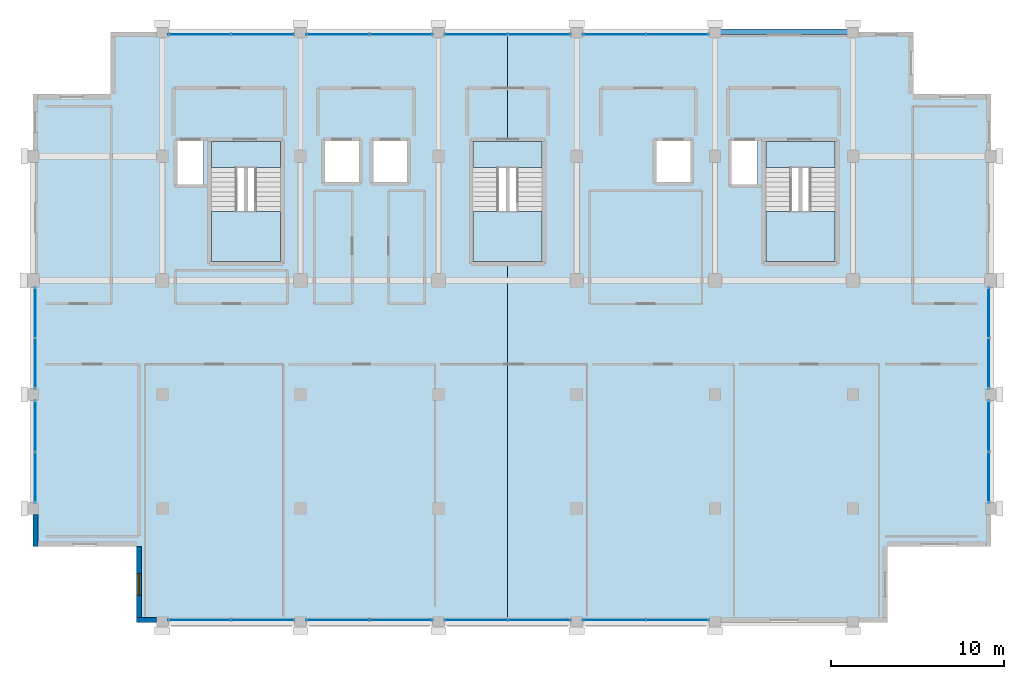
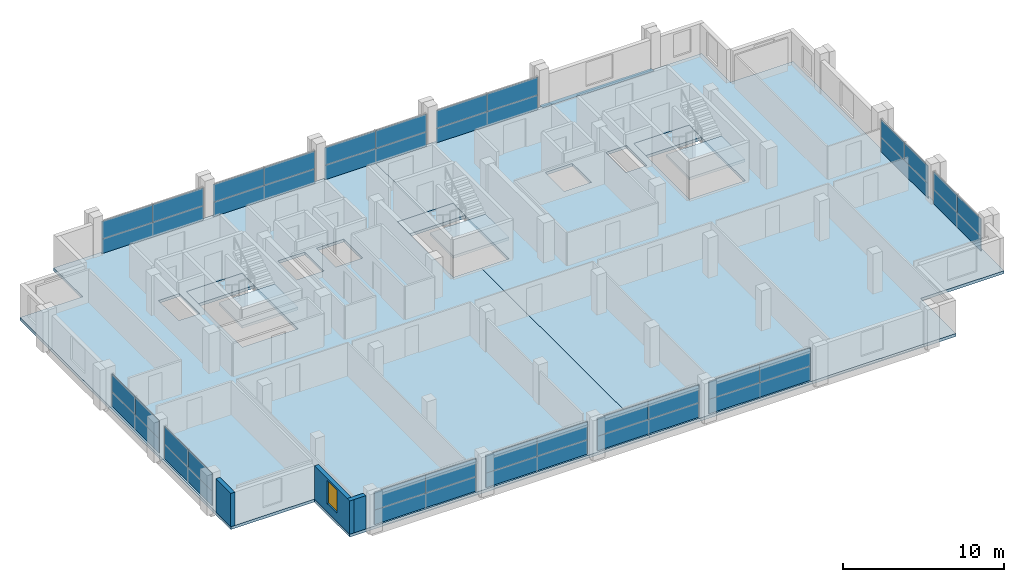
# One storey, part 19 of 24: 36 plates, 8 slabs, 3 walls, 1 beam, 1 window, 1 opening, 15 elements without a shape of their own.
"""IFC4 building model written with IfcOpenShell, lengths in metres."""

from ifc_helpers import new_model, si_unit, direction, frame, frame_2d, origin, origin_2d, place, context, subcontext, project, spatial, polyline, rectangle, outline, extrude, material, layer, layer_set, material_profile, profile_set, type_object, element, fill, aggregate, save


model = new_model("IFC4")

# Units and contexts
model_context = context("Model", 3, precision=1e-05, world=origin(), true_north=direction((0.0, 1.0)))
body_context = subcontext(model_context, "Body", "Model", "MODEL_VIEW")
ifc_project = project(units=[si_unit("LENGTHUNIT", "METRE"), si_unit("AREAUNIT", "SQUARE_METRE"), si_unit("VOLUMEUNIT", "CUBIC_METRE"), si_unit("PLANEANGLEUNIT", "RADIAN"), si_unit("MASSUNIT", "GRAM", prefix="KILO")], contexts=[model_context])

# Site, building, storey
site_placement = place(None, origin())
site = spatial("IfcSite", under=ifc_project, at=site_placement, CompositionType="ELEMENT")
building_placement = place(site_placement, origin())
building = spatial("IfcBuilding", under=site, at=building_placement, Name="Akrevak Sports Hall", CompositionType="ELEMENT")
storey_placement = place(building_placement, frame((0.0, 0.0, 56.800048828125)))
storey = spatial("IfcBuildingStorey", under=building, at=storey_placement, Name="L14", CompositionType="ELEMENT", Elevation=56.800048828125)

# Beam
ifc_material_1 = material(Name="Concrete C40/50", Category="concrete")
ifc_material_profile = material_profile(ifc_material_1, rectangle(XDim=0.320068359375, YDim=0.679931640625, at=origin_2d()), Name="SPD 320x680", Category="concrete")
ifc_profile_set = profile_set([ifc_material_profile], Name="Concrete C40/50")
beam_type = type_object("IfcBeamType", Name="STR-SPD-RC320x680", PredefinedType="SPANDREL", material=ifc_profile_set)
beam_placement = place(storey_placement, frame((92.0, 69.60009765625, -0.340087890625), z_axis=(1.0, 0.0, 0.0), x_axis=(0.0, 1.0, 0.0)))
element("IfcBeam", 1, at=beam_placement, inside=storey, type_object=beam_type, Name="Girder K/13-14 (L14)", PredefinedType="SPANDREL", context=body_context, shape_type="SweptSolid", body=[
    extrude(rectangle(XDim=0.320068359375, YDim=0.679931640625, at=origin_2d()), origin(), (0.0, 0.0, 1.0), 8.0),
])

# Curtain wall, plates
ifc_material_2 = material(Name="Anodized Bronze Aluminium & Low-E Glass", Category="aluminium")
curtain_wall_type = type_object("IfcCurtainWallType", Name="ARC-CW-TWR-64x30", PredefinedType="NOTDEFINED", material=ifc_material_2)
curtain_wall_1_placement = place(storey_placement, origin())
curtain_wall_1 = element("IfcCurtainWall", 2, at=curtain_wall_1_placement, inside=storey, type_object=curtain_wall_type, Name="Curtain Wall CW-L14-S02", PredefinedType="NOTDEFINED")
ifc_material_3 = material(Name="Double Low-E Tempered Glass", Category="glass")
ifc_layer_1 = layer(ifc_material_3, 0.031982421875, Name="Double Low-E Tempered Glass")
ifc_layer_set_1 = layer_set([ifc_layer_1], Name="Double Low-E Tempered Glass")
plate_type_1 = type_object("IfcPlateType", Name="ARC-CWP-GLZ-32", PredefinedType="CURTAIN_PANEL", material=ifc_layer_set_1)
plate_1_placement = place(storey_placement, frame((62.175048828125, 35.550048828125, 1.099853515625), z_axis=(0.0, 0.0, 1.0), x_axis=(1.0, 0.0, 0.0)))
plate_1 = element("IfcPlate", 3, at=plate_1_placement, type_object=plate_type_1, Name="Vision Glass Panel CW-L14-S02-G1", PredefinedType="CURTAIN_PANEL", context=body_context, shape_type="SweptSolid", body=[
    extrude(rectangle(XDim=3.64990234375, YDim=0.035888671875, at=origin_2d()), origin(), (0.0, 0.0, 1.0), 1.35009765625),
])
plate_2_placement = place(storey_placement, frame((65.824951171875, 35.550048828125, 1.099853515625), z_axis=(0.0, 0.0, 1.0), x_axis=(1.0, 0.0, 0.0)))
plate_2 = element("IfcPlate", 4, at=plate_2_placement, type_object=plate_type_1, Name="Vision Glass Panel CW-L14-S02-G2", PredefinedType="CURTAIN_PANEL", context=body_context, shape_type="SweptSolid", body=[
    extrude(rectangle(XDim=3.64990234375, YDim=0.035888671875, at=origin_2d()), origin(), (0.0, 0.0, 1.0), 1.35009765625),
])

curtain_wall_2_placement = place(storey_placement, origin())
curtain_wall_2 = element("IfcCurtainWall", 5, at=curtain_wall_2_placement, inside=storey, type_object=curtain_wall_type, Name="Curtain Wall CW-L14-S03", PredefinedType="NOTDEFINED")
plate_3_placement = place(storey_placement, frame((70.175048828125, 35.550048828125, 1.099853515625), z_axis=(0.0, 0.0, 1.0), x_axis=(1.0, 0.0, 0.0)))
plate_3 = element("IfcPlate", 6, at=plate_3_placement, type_object=plate_type_1, Name="Vision Glass Panel CW-L14-S03-G1", PredefinedType="CURTAIN_PANEL", context=body_context, shape_type="SweptSolid", body=[
    extrude(rectangle(XDim=3.64990234375, YDim=0.035888671875, at=origin_2d()), origin(), (0.0, 0.0, 1.0), 1.35009765625),
])
plate_4_placement = place(storey_placement, frame((73.824951171875, 35.550048828125, 1.099853515625), z_axis=(0.0, 0.0, 1.0), x_axis=(1.0, 0.0, 0.0)))
plate_4 = element("IfcPlate", 7, at=plate_4_placement, type_object=plate_type_1, Name="Vision Glass Panel CW-L14-S03-G2", PredefinedType="CURTAIN_PANEL", context=body_context, shape_type="SweptSolid", body=[
    extrude(rectangle(XDim=3.64990234375, YDim=0.035888671875, at=origin_2d()), origin(), (0.0, 0.0, 1.0), 1.35009765625),
])

curtain_wall_3_placement = place(storey_placement, origin())
curtain_wall_3 = element("IfcCurtainWall", 8, at=curtain_wall_3_placement, inside=storey, type_object=curtain_wall_type, Name="Curtain Wall CW-L14-S04", PredefinedType="NOTDEFINED")
plate_5_placement = place(storey_placement, frame((78.175048828125, 35.550048828125, 1.099853515625), z_axis=(0.0, 0.0, 1.0), x_axis=(1.0, 0.0, 0.0)))
plate_5 = element("IfcPlate", 9, at=plate_5_placement, type_object=plate_type_1, Name="Vision Glass Panel CW-L14-S04-G1", PredefinedType="CURTAIN_PANEL", context=body_context, shape_type="SweptSolid", body=[
    extrude(rectangle(XDim=3.64990234375, YDim=0.035888671875, at=origin_2d()), origin(), (0.0, 0.0, 1.0), 1.35009765625),
])
plate_6_placement = place(storey_placement, frame((81.824951171875, 35.550048828125, 1.099853515625), z_axis=(0.0, 0.0, 1.0), x_axis=(1.0, 0.0, 0.0)))
plate_6 = element("IfcPlate", 10, at=plate_6_placement, type_object=plate_type_1, Name="Vision Glass Panel CW-L14-S04-G2", PredefinedType="CURTAIN_PANEL", context=body_context, shape_type="SweptSolid", body=[
    extrude(rectangle(XDim=3.64990234375, YDim=0.035888671875, at=origin_2d()), origin(), (0.0, 0.0, 1.0), 1.35009765625),
])

curtain_wall_4_placement = place(storey_placement, origin())
curtain_wall_4 = element("IfcCurtainWall", 11, at=curtain_wall_4_placement, inside=storey, type_object=curtain_wall_type, Name="Curtain Wall CW-L14-S05", PredefinedType="NOTDEFINED")
plate_7_placement = place(storey_placement, frame((86.175048828125, 35.550048828125, 1.099853515625), z_axis=(0.0, 0.0, 1.0), x_axis=(1.0, 0.0, 0.0)))
plate_7 = element("IfcPlate", 12, at=plate_7_placement, type_object=plate_type_1, Name="Vision Glass Panel CW-L14-S05-G1", PredefinedType="CURTAIN_PANEL", context=body_context, shape_type="SweptSolid", body=[
    extrude(rectangle(XDim=3.64990234375, YDim=0.035888671875, at=origin_2d()), origin(), (0.0, 0.0, 1.0), 1.35009765625),
])
plate_8_placement = place(storey_placement, frame((89.824951171875, 35.550048828125, 1.099853515625), z_axis=(0.0, 0.0, 1.0), x_axis=(1.0, 0.0, 0.0)))
plate_8 = element("IfcPlate", 13, at=plate_8_placement, type_object=plate_type_1, Name="Vision Glass Panel CW-L14-S05-G2", PredefinedType="CURTAIN_PANEL", context=body_context, shape_type="SweptSolid", body=[
    extrude(rectangle(XDim=3.64990234375, YDim=0.035888671875, at=origin_2d()), origin(), (0.0, 0.0, 1.0), 1.35009765625),
])

curtain_wall_5_placement = place(storey_placement, origin())
curtain_wall_5 = element("IfcCurtainWall", 14, at=curtain_wall_5_placement, inside=storey, type_object=curtain_wall_type, Name="Curtain Wall CW-L14-E11", PredefinedType="NOTDEFINED")
plate_9_placement = place(storey_placement, frame((107.85009765625, 43.824951171875, 1.099853515625), z_axis=(0.0, 0.0, 1.0), x_axis=(0.0, 1.0, 0.0)))
plate_9 = element("IfcPlate", 15, at=plate_9_placement, type_object=plate_type_1, Name="Vision Glass Panel CW-L14-E11-G1", PredefinedType="CURTAIN_PANEL", context=body_context, shape_type="SweptSolid", body=[
    extrude(rectangle(XDim=2.949951171875, YDim=0.035888671875, at=origin_2d()), origin(), (0.0, 0.0, 1.0), 1.35009765625),
])
plate_10_placement = place(storey_placement, frame((107.85009765625, 46.77490234375, 1.099853515625), z_axis=(0.0, 0.0, 1.0), x_axis=(0.0, 1.0, 0.0)))
plate_10 = element("IfcPlate", 16, at=plate_10_placement, type_object=plate_type_1, Name="Vision Glass Panel CW-L14-E11-G2", PredefinedType="CURTAIN_PANEL", context=body_context, shape_type="SweptSolid", body=[
    extrude(rectangle(XDim=2.949951171875, YDim=0.035888671875, at=origin_2d()), origin(), (0.0, 0.0, 1.0), 1.35009765625),
])

curtain_wall_6_placement = place(storey_placement, origin())
curtain_wall_6 = element("IfcCurtainWall", 17, at=curtain_wall_6_placement, inside=storey, type_object=curtain_wall_type, Name="Curtain Wall CW-L14-E12", PredefinedType="NOTDEFINED")
plate_11_placement = place(storey_placement, frame((107.85009765625, 50.41259765625, 1.099853515625), z_axis=(0.0, 0.0, 1.0), x_axis=(0.0, 1.0, 0.0)))
plate_11 = element("IfcPlate", 18, at=plate_11_placement, type_object=plate_type_1, Name="Vision Glass Panel CW-L14-E12-G1", PredefinedType="CURTAIN_PANEL", context=body_context, shape_type="SweptSolid", body=[
    extrude(rectangle(XDim=2.925048828125, YDim=0.035888671875, at=origin_2d()), origin(), (0.0, 0.0, 1.0), 1.35009765625),
])
plate_12_placement = place(storey_placement, frame((107.85009765625, 53.33740234375, 1.099853515625), z_axis=(0.0, 0.0, 1.0), x_axis=(0.0, 1.0, 0.0)))
plate_12 = element("IfcPlate", 19, at=plate_12_placement, type_object=plate_type_1, Name="Vision Glass Panel CW-L14-E12-G2", PredefinedType="CURTAIN_PANEL", context=body_context, shape_type="SweptSolid", body=[
    extrude(rectangle(XDim=2.925048828125, YDim=0.035888671875, at=origin_2d()), origin(), (0.0, 0.0, 1.0), 1.35009765625),
])

curtain_wall_7_placement = place(storey_placement, origin())
curtain_wall_7 = element("IfcCurtainWall", 20, at=curtain_wall_7_placement, inside=storey, type_object=curtain_wall_type, Name="Curtain Wall CW-L14-N19", PredefinedType="NOTDEFINED")
plate_13_placement = place(storey_placement, frame((89.824951171875, 69.449951171875, 1.099853515625), z_axis=(0.0, 0.0, 1.0), x_axis=(-1.0, 0.0, 0.0)))
plate_13 = element("IfcPlate", 21, at=plate_13_placement, type_object=plate_type_1, Name="Vision Glass Panel CW-L14-N19-G1", PredefinedType="CURTAIN_PANEL", context=body_context, shape_type="SweptSolid", body=[
    extrude(rectangle(XDim=3.64990234375, YDim=0.035888671875, at=origin_2d()), origin(), (0.0, 0.0, 1.0), 1.35009765625),
])
plate_14_placement = place(storey_placement, frame((86.175048828125, 69.449951171875, 1.099853515625), z_axis=(0.0, 0.0, 1.0), x_axis=(-1.0, 0.0, 0.0)))
plate_14 = element("IfcPlate", 22, at=plate_14_placement, type_object=plate_type_1, Name="Vision Glass Panel CW-L14-N19-G2", PredefinedType="CURTAIN_PANEL", context=body_context, shape_type="SweptSolid", body=[
    extrude(rectangle(XDim=3.64990234375, YDim=0.035888671875, at=origin_2d()), origin(), (0.0, 0.0, 1.0), 1.35009765625),
])

curtain_wall_8_placement = place(storey_placement, origin())
curtain_wall_8 = element("IfcCurtainWall", 23, at=curtain_wall_8_placement, inside=storey, type_object=curtain_wall_type, Name="Curtain Wall CW-L14-N20", PredefinedType="NOTDEFINED")
plate_15_placement = place(storey_placement, frame((81.824951171875, 69.449951171875, 1.099853515625), z_axis=(0.0, 0.0, 1.0), x_axis=(-1.0, 0.0, 0.0)))
plate_15 = element("IfcPlate", 24, at=plate_15_placement, type_object=plate_type_1, Name="Vision Glass Panel CW-L14-N20-G1", PredefinedType="CURTAIN_PANEL", context=body_context, shape_type="SweptSolid", body=[
    extrude(rectangle(XDim=3.64990234375, YDim=0.035888671875, at=origin_2d()), origin(), (0.0, 0.0, 1.0), 1.35009765625),
])
plate_16_placement = place(storey_placement, frame((78.175048828125, 69.449951171875, 1.099853515625), z_axis=(0.0, 0.0, 1.0), x_axis=(-1.0, 0.0, 0.0)))
plate_16 = element("IfcPlate", 25, at=plate_16_placement, type_object=plate_type_1, Name="Vision Glass Panel CW-L14-N20-G2", PredefinedType="CURTAIN_PANEL", context=body_context, shape_type="SweptSolid", body=[
    extrude(rectangle(XDim=3.64990234375, YDim=0.035888671875, at=origin_2d()), origin(), (0.0, 0.0, 1.0), 1.35009765625),
])

curtain_wall_9_placement = place(storey_placement, origin())
curtain_wall_9 = element("IfcCurtainWall", 26, at=curtain_wall_9_placement, inside=storey, type_object=curtain_wall_type, Name="Curtain Wall CW-L14-N21", PredefinedType="NOTDEFINED")
plate_17_placement = place(storey_placement, frame((73.824951171875, 69.449951171875, 1.099853515625), z_axis=(0.0, 0.0, 1.0), x_axis=(-1.0, 0.0, 0.0)))
plate_17 = element("IfcPlate", 27, at=plate_17_placement, type_object=plate_type_1, Name="Vision Glass Panel CW-L14-N21-G1", PredefinedType="CURTAIN_PANEL", context=body_context, shape_type="SweptSolid", body=[
    extrude(rectangle(XDim=3.64990234375, YDim=0.035888671875, at=origin_2d()), origin(), (0.0, 0.0, 1.0), 1.35009765625),
])
plate_18_placement = place(storey_placement, frame((70.175048828125, 69.449951171875, 1.099853515625), z_axis=(0.0, 0.0, 1.0), x_axis=(-1.0, 0.0, 0.0)))
plate_18 = element("IfcPlate", 28, at=plate_18_placement, type_object=plate_type_1, Name="Vision Glass Panel CW-L14-N21-G2", PredefinedType="CURTAIN_PANEL", context=body_context, shape_type="SweptSolid", body=[
    extrude(rectangle(XDim=3.64990234375, YDim=0.035888671875, at=origin_2d()), origin(), (0.0, 0.0, 1.0), 1.35009765625),
])

curtain_wall_10_placement = place(storey_placement, origin())
curtain_wall_10 = element("IfcCurtainWall", 29, at=curtain_wall_10_placement, inside=storey, type_object=curtain_wall_type, Name="Curtain Wall CW-L14-N22", PredefinedType="NOTDEFINED")
plate_19_placement = place(storey_placement, frame((65.824951171875, 69.449951171875, 1.099853515625), z_axis=(0.0, 0.0, 1.0), x_axis=(-1.0, 0.0, 0.0)))
plate_19 = element("IfcPlate", 30, at=plate_19_placement, type_object=plate_type_1, Name="Vision Glass Panel CW-L14-N22-G1", PredefinedType="CURTAIN_PANEL", context=body_context, shape_type="SweptSolid", body=[
    extrude(rectangle(XDim=3.64990234375, YDim=0.035888671875, at=origin_2d()), origin(), (0.0, 0.0, 1.0), 1.35009765625),
])
plate_20_placement = place(storey_placement, frame((62.175048828125, 69.449951171875, 1.099853515625), z_axis=(0.0, 0.0, 1.0), x_axis=(-1.0, 0.0, 0.0)))
plate_20 = element("IfcPlate", 31, at=plate_20_placement, type_object=plate_type_1, Name="Vision Glass Panel CW-L14-N22-G2", PredefinedType="CURTAIN_PANEL", context=body_context, shape_type="SweptSolid", body=[
    extrude(rectangle(XDim=3.64990234375, YDim=0.035888671875, at=origin_2d()), origin(), (0.0, 0.0, 1.0), 1.35009765625),
])

curtain_wall_11_placement = place(storey_placement, origin())
curtain_wall_11 = element("IfcCurtainWall", 32, at=curtain_wall_11_placement, inside=storey, type_object=curtain_wall_type, Name="Curtain Wall CW-L14-W28", PredefinedType="NOTDEFINED")
plate_21_placement = place(storey_placement, frame((52.64990234375, 53.33740234375, 1.099853515625), z_axis=(0.0, 0.0, 1.0), x_axis=(0.0, -1.0, 0.0)))
plate_21 = element("IfcPlate", 33, at=plate_21_placement, type_object=plate_type_1, Name="Vision Glass Panel CW-L14-W28-G1", PredefinedType="CURTAIN_PANEL", context=body_context, shape_type="SweptSolid", body=[
    extrude(rectangle(XDim=2.925048828125, YDim=0.035888671875, at=origin_2d()), origin(), (0.0, 0.0, 1.0), 1.35009765625),
])
plate_22_placement = place(storey_placement, frame((52.64990234375, 50.41259765625, 1.099853515625), z_axis=(0.0, 0.0, 1.0), x_axis=(0.0, -1.0, 0.0)))
plate_22 = element("IfcPlate", 34, at=plate_22_placement, type_object=plate_type_1, Name="Vision Glass Panel CW-L14-W28-G2", PredefinedType="CURTAIN_PANEL", context=body_context, shape_type="SweptSolid", body=[
    extrude(rectangle(XDim=2.925048828125, YDim=0.035888671875, at=origin_2d()), origin(), (0.0, 0.0, 1.0), 1.35009765625),
])

curtain_wall_12_placement = place(storey_placement, origin())
curtain_wall_12 = element("IfcCurtainWall", 35, at=curtain_wall_12_placement, inside=storey, type_object=curtain_wall_type, Name="Curtain Wall CW-L14-W29", PredefinedType="NOTDEFINED")
plate_23_placement = place(storey_placement, frame((52.64990234375, 46.77490234375, 1.099853515625), z_axis=(0.0, 0.0, 1.0), x_axis=(0.0, -1.0, 0.0)))
plate_23 = element("IfcPlate", 36, at=plate_23_placement, type_object=plate_type_1, Name="Vision Glass Panel CW-L14-W29-G1", PredefinedType="CURTAIN_PANEL", context=body_context, shape_type="SweptSolid", body=[
    extrude(rectangle(XDim=2.949951171875, YDim=0.035888671875, at=origin_2d()), origin(), (0.0, 0.0, 1.0), 1.35009765625),
])
plate_24_placement = place(storey_placement, frame((52.64990234375, 43.824951171875, 1.099853515625), z_axis=(0.0, 0.0, 1.0), x_axis=(0.0, -1.0, 0.0)))
plate_24 = element("IfcPlate", 37, at=plate_24_placement, type_object=plate_type_1, Name="Vision Glass Panel CW-L14-W29-G2", PredefinedType="CURTAIN_PANEL", context=body_context, shape_type="SweptSolid", body=[
    extrude(rectangle(XDim=2.949951171875, YDim=0.035888671875, at=origin_2d()), origin(), (0.0, 0.0, 1.0), 1.35009765625),
])

# Plate
ifc_material_4 = material(Name="Insulated Bronze Spandrel Panel", Category="aluminium")
ifc_layer_2 = layer(ifc_material_4, 0.0400390625, Name="Insulated Bronze Spandrel Panel")
ifc_layer_set_2 = layer_set([ifc_layer_2], Name="Insulated Bronze Spandrel Panel")
plate_type_2 = type_object("IfcPlateType", Name="ARC-CWP-SPD-40", PredefinedType="CURTAIN_PANEL", material=ifc_layer_set_2)
plate_25_placement = place(storey_placement, frame((64.0, 35.550048828125, 0.0), z_axis=(0.0, 0.0, 1.0), x_axis=(1.0, 0.0, 0.0)))
plate_25 = element("IfcPlate", 38, at=plate_25_placement, type_object=plate_type_2, Name="Insulated Spandrel Panel CW-L14-S02-S1", PredefinedType="CURTAIN_PANEL", context=body_context, shape_type="SweptSolid", body=[
    extrude(rectangle(XDim=7.300048828125, YDim=0.0439453125, at=origin_2d()), origin(), (0.0, 0.0, 1.0), 1.10009765625),
])

aggregate(curtain_wall_1, [plate_1, plate_2, plate_25])

plate_26_placement = place(storey_placement, frame((72.0, 35.550048828125, 0.0), z_axis=(0.0, 0.0, 1.0), x_axis=(1.0, 0.0, 0.0)))
plate_26 = element("IfcPlate", 39, at=plate_26_placement, type_object=plate_type_2, Name="Insulated Spandrel Panel CW-L14-S03-S1", PredefinedType="CURTAIN_PANEL", context=body_context, shape_type="SweptSolid", body=[
    extrude(rectangle(XDim=7.300048828125, YDim=0.0439453125, at=origin_2d()), origin(), (0.0, 0.0, 1.0), 1.10009765625),
])

aggregate(curtain_wall_2, [plate_3, plate_4, plate_26])

plate_27_placement = place(storey_placement, frame((80.0, 35.550048828125, 0.0), z_axis=(0.0, 0.0, 1.0), x_axis=(1.0, 0.0, 0.0)))
plate_27 = element("IfcPlate", 40, at=plate_27_placement, type_object=plate_type_2, Name="Insulated Spandrel Panel CW-L14-S04-S1", PredefinedType="CURTAIN_PANEL", context=body_context, shape_type="SweptSolid", body=[
    extrude(rectangle(XDim=7.300048828125, YDim=0.0439453125, at=origin_2d()), origin(), (0.0, 0.0, 1.0), 1.10009765625),
])

aggregate(curtain_wall_3, [plate_5, plate_6, plate_27])

plate_28_placement = place(storey_placement, frame((88.0, 35.550048828125, 0.0), z_axis=(0.0, 0.0, 1.0), x_axis=(1.0, 0.0, 0.0)))
plate_28 = element("IfcPlate", 41, at=plate_28_placement, type_object=plate_type_2, Name="Insulated Spandrel Panel CW-L14-S05-S1", PredefinedType="CURTAIN_PANEL", context=body_context, shape_type="SweptSolid", body=[
    extrude(rectangle(XDim=7.300048828125, YDim=0.0439453125, at=origin_2d()), origin(), (0.0, 0.0, 1.0), 1.10009765625),
])

aggregate(curtain_wall_4, [plate_7, plate_8, plate_28])

plate_29_placement = place(storey_placement, frame((107.85009765625, 45.300048828125, 0.0), z_axis=(0.0, 0.0, 1.0), x_axis=(0.0, 1.0, 0.0)))
plate_29 = element("IfcPlate", 42, at=plate_29_placement, type_object=plate_type_2, Name="Insulated Spandrel Panel CW-L14-E11-S1", PredefinedType="CURTAIN_PANEL", context=body_context, shape_type="SweptSolid", body=[
    extrude(rectangle(XDim=5.89990234375, YDim=0.0439453125, at=origin_2d()), origin(), (0.0, 0.0, 1.0), 1.10009765625),
])

aggregate(curtain_wall_5, [plate_9, plate_10, plate_29])

plate_30_placement = place(storey_placement, frame((107.85009765625, 51.875, 0.0), z_axis=(0.0, 0.0, 1.0), x_axis=(0.0, 1.0, 0.0)))
plate_30 = element("IfcPlate", 43, at=plate_30_placement, type_object=plate_type_2, Name="Insulated Spandrel Panel CW-L14-E12-S1", PredefinedType="CURTAIN_PANEL", context=body_context, shape_type="SweptSolid", body=[
    extrude(rectangle(XDim=5.85009765625, YDim=0.0439453125, at=origin_2d()), origin(), (0.0, 0.0, 1.0), 1.10009765625),
])

aggregate(curtain_wall_6, [plate_11, plate_12, plate_30])

plate_31_placement = place(storey_placement, frame((88.0, 69.449951171875, 0.0), z_axis=(0.0, 0.0, 1.0), x_axis=(-1.0, 0.0, 0.0)))
plate_31 = element("IfcPlate", 44, at=plate_31_placement, type_object=plate_type_2, Name="Insulated Spandrel Panel CW-L14-N19-S1", PredefinedType="CURTAIN_PANEL", context=body_context, shape_type="SweptSolid", body=[
    extrude(rectangle(XDim=7.300048828125, YDim=0.0439453125, at=origin_2d()), origin(), (0.0, 0.0, 1.0), 1.10009765625),
])

aggregate(curtain_wall_7, [plate_13, plate_14, plate_31])

plate_32_placement = place(storey_placement, frame((80.0, 69.449951171875, 0.0), z_axis=(0.0, 0.0, 1.0), x_axis=(-1.0, 0.0, 0.0)))
plate_32 = element("IfcPlate", 45, at=plate_32_placement, type_object=plate_type_2, Name="Insulated Spandrel Panel CW-L14-N20-S1", PredefinedType="CURTAIN_PANEL", context=body_context, shape_type="SweptSolid", body=[
    extrude(rectangle(XDim=7.300048828125, YDim=0.0439453125, at=origin_2d()), origin(), (0.0, 0.0, 1.0), 1.10009765625),
])

aggregate(curtain_wall_8, [plate_15, plate_16, plate_32])

plate_33_placement = place(storey_placement, frame((72.0, 69.449951171875, 0.0), z_axis=(0.0, 0.0, 1.0), x_axis=(-1.0, 0.0, 0.0)))
plate_33 = element("IfcPlate", 46, at=plate_33_placement, type_object=plate_type_2, Name="Insulated Spandrel Panel CW-L14-N21-S1", PredefinedType="CURTAIN_PANEL", context=body_context, shape_type="SweptSolid", body=[
    extrude(rectangle(XDim=7.300048828125, YDim=0.0439453125, at=origin_2d()), origin(), (0.0, 0.0, 1.0), 1.10009765625),
])

aggregate(curtain_wall_9, [plate_17, plate_18, plate_33])

plate_34_placement = place(storey_placement, frame((64.0, 69.449951171875, 0.0), z_axis=(0.0, 0.0, 1.0), x_axis=(-1.0, 0.0, 0.0)))
plate_34 = element("IfcPlate", 47, at=plate_34_placement, type_object=plate_type_2, Name="Insulated Spandrel Panel CW-L14-N22-S1", PredefinedType="CURTAIN_PANEL", context=body_context, shape_type="SweptSolid", body=[
    extrude(rectangle(XDim=7.300048828125, YDim=0.0439453125, at=origin_2d()), origin(), (0.0, 0.0, 1.0), 1.10009765625),
])

aggregate(curtain_wall_10, [plate_19, plate_20, plate_34])

plate_35_placement = place(storey_placement, frame((52.64990234375, 51.875, 0.0), z_axis=(0.0, 0.0, 1.0), x_axis=(0.0, -1.0, 0.0)))
plate_35 = element("IfcPlate", 48, at=plate_35_placement, type_object=plate_type_2, Name="Insulated Spandrel Panel CW-L14-W28-S1", PredefinedType="CURTAIN_PANEL", context=body_context, shape_type="SweptSolid", body=[
    extrude(rectangle(XDim=5.85009765625, YDim=0.0439453125, at=origin_2d()), origin(), (0.0, 0.0, 1.0), 1.10009765625),
])

aggregate(curtain_wall_11, [plate_21, plate_22, plate_35])

plate_36_placement = place(storey_placement, frame((52.64990234375, 45.300048828125, 0.0), z_axis=(0.0, 0.0, 1.0), x_axis=(0.0, -1.0, 0.0)))
plate_36 = element("IfcPlate", 49, at=plate_36_placement, type_object=plate_type_2, Name="Insulated Spandrel Panel CW-L14-W29-S1", PredefinedType="CURTAIN_PANEL", context=body_context, shape_type="SweptSolid", body=[
    extrude(rectangle(XDim=5.89990234375, YDim=0.0439453125, at=origin_2d()), origin(), (0.0, 0.0, 1.0), 1.10009765625),
])

aggregate(curtain_wall_12, [plate_23, plate_24, plate_36])

# Slabs
ifc_layer_3 = layer(ifc_material_1, 0.219970703125, Name="Concrete C40/50")
ifc_layer_set_3 = layer_set([ifc_layer_3], Name="Concrete C40/50")
slab_type_1 = type_object("IfcSlabType", Name="STR-SLB-FLR-220", PredefinedType="FLOOR", material=ifc_layer_set_3)
slab_1_placement = place(storey_placement, frame((0.0, 0.0, -0.219970703125)))
element("IfcSlab", 50, at=slab_1_placement, inside=storey, type_object=slab_type_1, Name="Structural Floor Slab L14-1.1", PredefinedType="FLOOR", context=body_context, shape_type="SweptSolid", body=[
    extrude(outline(polyline([(58.5, 39.800048828125), (58.5, 35.39990234375), (80.0, 35.39990234375), (80.0, 56.300048828125), (78.0, 56.300048828125), (78.0, 63.25), (80.0, 63.25), (80.0, 69.60009765625), (57.0, 69.60009765625), (57.0, 66.0), (52.5, 66.0), (52.5, 39.800048828125), (58.5, 39.800048828125)]), holes=[polyline([(62.85009765625, 63.25), (66.85009765625, 63.25), (66.85009765625, 56.300048828125), (62.85009765625, 56.300048828125), (62.85009765625, 63.25)]), polyline([(60.8701171875, 63.280029296875), (62.3798828125, 63.280029296875), (62.3798828125, 60.77001953125), (60.8701171875, 60.77001953125), (60.8701171875, 63.280029296875)]), polyline([(69.419921875, 63.280029296875), (71.3798828125, 63.280029296875), (71.3798828125, 60.919921875), (69.419921875, 60.919921875), (69.419921875, 63.280029296875)]), polyline([(72.219970703125, 63.280029296875), (74.179931640625, 63.280029296875), (74.179931640625, 60.919921875), (72.219970703125, 60.919921875), (72.219970703125, 63.280029296875)])]), origin(), (0.0, 0.0, 1.0), 0.219970703125),
])
slab_2_placement = place(storey_placement, frame((0.0, 0.0, -0.219970703125)))
element("IfcSlab", 51, at=slab_2_placement, inside=storey, type_object=slab_type_1, Name="Structural Floor Slab L14-2.1", PredefinedType="FLOOR", context=body_context, shape_type="SweptSolid", body=[
    extrude(outline(polyline([(80.0, 69.60009765625), (80.0, 63.25), (82.0, 63.25), (82.0, 56.300048828125), (80.0, 56.300048828125), (80.0, 35.39990234375), (102.0, 35.39990234375), (102.0, 39.800048828125), (108.0, 39.800048828125), (108.0, 66.0), (103.5, 66.0), (103.5, 69.60009765625), (80.0, 69.60009765625)]), holes=[polyline([(94.949951171875, 63.25), (98.949951171875, 63.25), (98.949951171875, 56.300048828125), (94.949951171875, 56.300048828125), (94.949951171875, 63.25)]), polyline([(92.969970703125, 63.280029296875), (94.47998046875, 63.280029296875), (94.47998046875, 60.77001953125), (92.969970703125, 60.77001953125), (92.969970703125, 63.280029296875)]), polyline([(88.6201171875, 63.280029296875), (90.580078125, 63.280029296875), (90.580078125, 60.919921875), (88.6201171875, 60.919921875), (88.6201171875, 63.280029296875)])]), origin(), (0.0, 0.0, 1.0), 0.219970703125),
])

# Stair, slab
stair_type = type_object("IfcStairType", Name="ARC-STR-DOG-325", PredefinedType="HALF_TURN_STAIR", material=ifc_material_1)
stair_1_placement = place(storey_placement, origin())
stair_1 = element("IfcStair", 52, at=stair_1_placement, inside=storey, type_object=stair_type, Name="Protected Exit Stair ST1 (L14 to L15)", PredefinedType="HALF_TURN_STAIR")
ifc_layer_4 = layer(ifc_material_1, 0.199951171875, Name="Concrete C40/50")
ifc_layer_set_4 = layer_set([ifc_layer_4], Name="Concrete C40/50")
slab_type_2 = type_object("IfcSlabType", Name="STR-SLB-LAND-200", PredefinedType="LANDING", material=ifc_layer_set_4)
slab_3_placement = place(storey_placement, frame((0.0, 0.0, 1.425048828125)))
slab_3 = element("IfcSlab", 53, at=slab_3_placement, type_object=slab_type_2, Name="Stair ST1 Half-Landing 1 (L14)", PredefinedType="LANDING", context=body_context, shape_type="SweptSolid", body=[
    extrude(outline(polyline([(62.85009765625, 56.300048828125), (66.85009765625, 56.300048828125), (66.85009765625, 59.215087890625), (62.85009765625, 59.215087890625), (62.85009765625, 56.300048828125)])), origin(), (0.0, 0.0, 1.0), 0.199951171875),
])
aggregate(stair_1, [slab_3])

stair_2_placement = place(storey_placement, origin())
stair_2 = element("IfcStair", 54, at=stair_2_placement, inside=storey, type_object=stair_type, Name="Protected Exit Stair ST2 (L14 to L15)", PredefinedType="HALF_TURN_STAIR")
slab_4_placement = place(storey_placement, frame((0.0, 0.0, 1.425048828125)))
slab_4 = element("IfcSlab", 55, at=slab_4_placement, type_object=slab_type_2, Name="Stair ST2 Half-Landing 1 (L14)", PredefinedType="LANDING", context=body_context, shape_type="SweptSolid", body=[
    extrude(outline(polyline([(94.949951171875, 56.300048828125), (98.949951171875, 56.300048828125), (98.949951171875, 59.215087890625), (94.949951171875, 59.215087890625), (94.949951171875, 56.300048828125)])), origin(), (0.0, 0.0, 1.0), 0.199951171875),
])
aggregate(stair_2, [slab_4])

stair_3_placement = place(storey_placement, origin())
stair_3 = element("IfcStair", 56, at=stair_3_placement, inside=storey, type_object=stair_type, Name="Protected Exit Stair ST3 (L14 to L15)", PredefinedType="HALF_TURN_STAIR")
slab_5_placement = place(storey_placement, frame((0.0, 0.0, 1.425048828125)))
slab_5 = element("IfcSlab", 57, at=slab_5_placement, type_object=slab_type_2, Name="Stair ST3 Half-Landing 1 (L14)", PredefinedType="LANDING", context=body_context, shape_type="SweptSolid", body=[
    extrude(outline(polyline([(78.0, 56.300048828125), (82.0, 56.300048828125), (82.0, 59.215087890625), (78.0, 59.215087890625), (78.0, 56.300048828125)])), origin(), (0.0, 0.0, 1.0), 0.199951171875),
])
aggregate(stair_3, [slab_5])

# Slabs
ifc_layer_5 = layer(ifc_material_1, 0.219970703125, Name="Concrete C40/50")
ifc_layer_set_5 = layer_set([ifc_layer_5], Name="Concrete C40/50")
slab_type_3 = type_object("IfcSlabType", Name="STR-SLB-LAND-220", PredefinedType="LANDING", material=ifc_layer_set_5)
slab_6_placement = place(storey_placement, frame((0.0, 0.0, -0.219970703125)))
element("IfcSlab", 58, at=slab_6_placement, inside=storey, type_object=slab_type_3, Name="Stair ST1 Floor Landing (L14)", PredefinedType="LANDING", context=body_context, shape_type="SweptSolid", body=[
    extrude(outline(polyline([(62.85009765625, 61.735107421875), (66.85009765625, 61.735107421875), (66.85009765625, 63.25), (62.85009765625, 63.25), (62.85009765625, 61.735107421875)])), origin(), (0.0, 0.0, 1.0), 0.219970703125),
])
slab_7_placement = place(storey_placement, frame((0.0, 0.0, -0.219970703125)))
element("IfcSlab", 59, at=slab_7_placement, inside=storey, type_object=slab_type_3, Name="Stair ST2 Floor Landing (L14)", PredefinedType="LANDING", context=body_context, shape_type="SweptSolid", body=[
    extrude(outline(polyline([(94.949951171875, 61.735107421875), (98.949951171875, 61.735107421875), (98.949951171875, 63.25), (94.949951171875, 63.25), (94.949951171875, 61.735107421875)])), origin(), (0.0, 0.0, 1.0), 0.219970703125),
])
slab_8_placement = place(storey_placement, frame((0.0, 0.0, -0.219970703125)))
element("IfcSlab", 60, at=slab_8_placement, inside=storey, type_object=slab_type_3, Name="Stair ST3 Floor Landing (L14)", PredefinedType="LANDING", context=body_context, shape_type="SweptSolid", body=[
    extrude(outline(polyline([(78.0, 61.735107421875), (82.0, 61.735107421875), (82.0, 63.25), (78.0, 63.25), (78.0, 61.735107421875)])), origin(), (0.0, 0.0, 1.0), 0.219970703125),
])

# Walls
ifc_material_5 = material(Name="Limestone Ashlar", Category="stone")
ifc_layer_6 = layer(ifc_material_5, 0.06005859375, Name="Limestone Ashlar")
ifc_material_6 = material(Name="Mineral Wool Thermal Insulation", Category="insulation")
ifc_layer_7 = layer(ifc_material_6, 0.090087890625, Name="Mineral Wool Thermal Insulation")
ifc_layer_8 = layer(ifc_material_1, 0.14990234375, Name="Concrete C40/50")
ifc_layer_set_6 = layer_set([ifc_layer_6, ifc_layer_7, ifc_layer_8], Name="Limestone Ashlar / Mineral Wool Thermal Insulation / Concrete C40/50")
wall_type = type_object("IfcWallType", Name="ARC-WL-EXT-300", PredefinedType="SOLIDWALL", material=ifc_layer_set_6)
wall_1_placement = place(storey_placement, frame((58.5, 35.550048828125, 0.0), z_axis=(0.0, 0.0, 1.0), x_axis=(1.0, 0.0, 0.0)))
element("IfcWall", 61, at=wall_1_placement, inside=storey, type_object=wall_type, Name="Tower Stone Facade Wall L14-S01", PredefinedType="SOLIDWALL", context=body_context, shape_type="SweptSolid", body=[
    extrude(rectangle(XDim=1.14990234375, YDim=0.300048828125, at=frame_2d((0.574951171875, 0.0))), origin(), (0.0, 0.0, 1.0), 2.530029296875),
])
wall_2_placement = place(storey_placement, frame((52.64990234375, 41.64990234375, 0.0), z_axis=(0.0, 0.0, 1.0), x_axis=(0.0, -1.0, 0.0)))
element("IfcWall", 62, at=wall_2_placement, inside=storey, type_object=wall_type, Name="Tower Stone Facade Wall L14-W30", PredefinedType="SOLIDWALL", context=body_context, shape_type="SweptSolid", body=[
    extrude(rectangle(XDim=1.849853515625, YDim=0.300048828125, at=frame_2d((0.9248046875, 0.0))), origin(), (0.0, 0.0, 1.0), 2.530029296875),
])

# Wall, opening, window
wall_3_placement = place(storey_placement, frame((58.64990234375, 39.800048828125, 0.0), z_axis=(0.0, 0.0, 1.0), x_axis=(0.0, -1.0, 0.0)))
wall_3 = element("IfcWall", 63, at=wall_3_placement, inside=storey, type_object=wall_type, Name="Tower Stone Facade Wall L14-W32", PredefinedType="SOLIDWALL", context=body_context, shape_type="SweptSolid", body=[
    extrude(rectangle(XDim=4.400146484375, YDim=0.300048828125, at=frame_2d((2.2001953125, 0.0))), origin(), (0.0, 0.0, 1.0), 2.530029296875),
])
opening_placement = place(wall_3_placement, frame((1.574951171875, 0.0, 0.6201171875)))
opening = element("IfcOpeningElement", 64, at=opening_placement, cuts=wall_3, Name="Opening WN-20", PredefinedType="OPENING", context=body_context, shape_type="SweptSolid", body=[
    extrude(rectangle(XDim=1.25, YDim=1.75, at=frame_2d((0.625, 0.875))), frame((0.0, 0.162109375, 0.0), z_axis=(0.0, -1.0, 0.0), x_axis=(1.0, 0.0, 0.0)), (0.0, 0.0, 1.0), 0.323974609375),
])
ifc_material_7 = material(Name="Thermally Broken Bronze Frame & Double Low-E Glass", Category="glass")
window_type = type_object("IfcWindowType", Name="ARC-WIN-TW-125x175", PartitioningType="SINGLE_PANEL", PredefinedType="WINDOW", material=ifc_material_7)
window_placement = place(opening_placement, origin())
window = element("IfcWindow", 65, at=window_placement, inside=storey, type_object=window_type, Name="Tower Window L14-W32", OverallHeight=1.75, OverallWidth=1.25, PartitioningType="SINGLE_PANEL", PredefinedType="WINDOW", context=body_context, shape_type="SweptSolid", body=[
    extrude(rectangle(XDim=1.25, YDim=1.75, at=frame_2d((0.625, 0.875))), frame((0.0, 0.030029296875, 0.0), z_axis=(0.0, -1.0, 0.0), x_axis=(1.0, 0.0, 0.0)), (0.0, 0.0, 1.0), 0.06005859375),
])
fill(opening, window)

save(model, "model.ifc")
